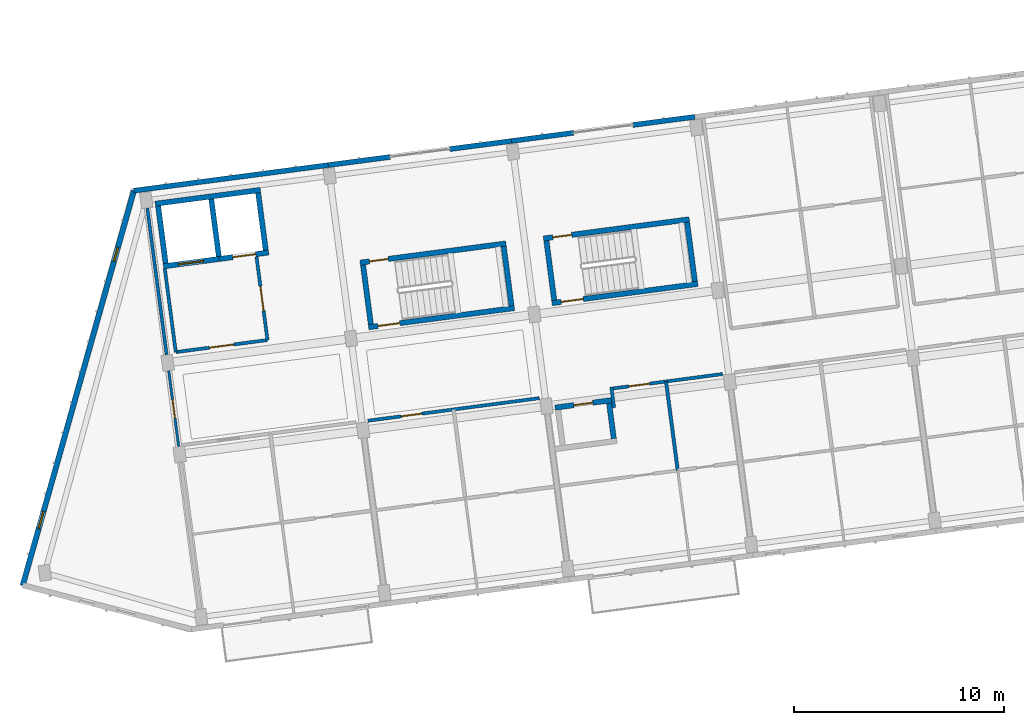
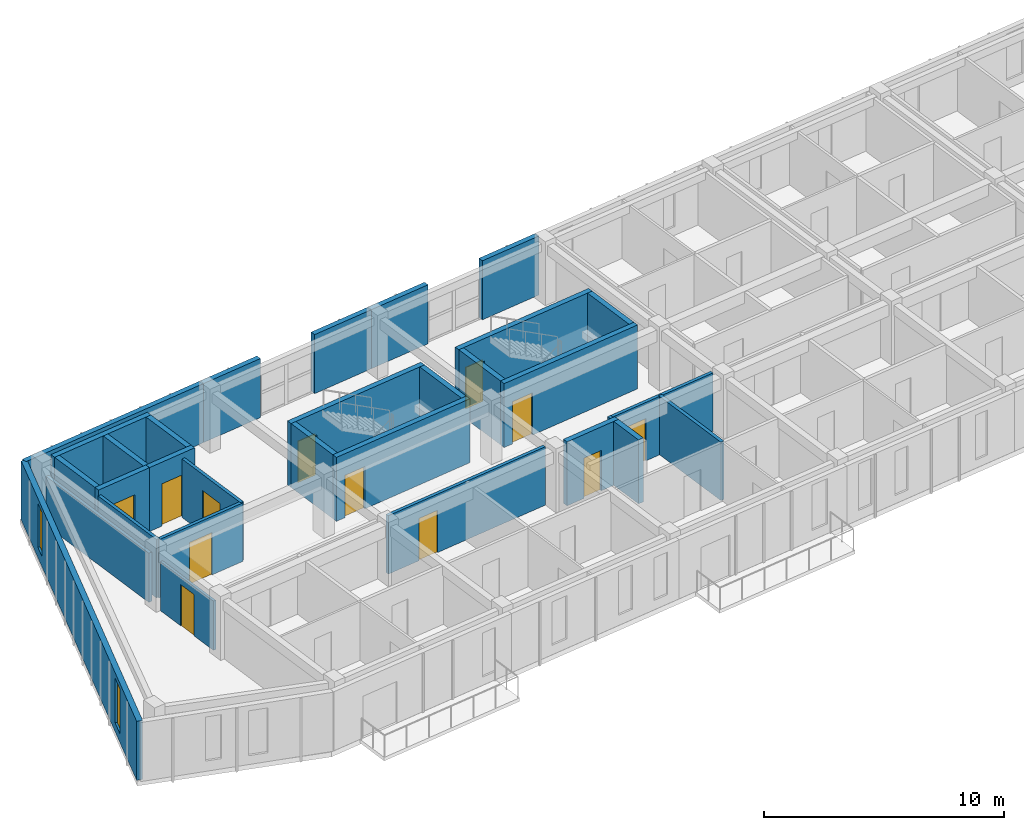
# One storey, part 21 of 65: 31 walls, 12 doors, 2 windows, 14 openings.
"""IFC4 building model written with IfcOpenShell, lengths in metres."""

from ifc_helpers import new_model, si_unit, direction, frame, frame_2d, origin, place, context, subcontext, project, spatial, rectangle, extrude, material, layer, layer_set, type_object, element, fill, save


model = new_model("IFC4")

# Units and contexts
model_context = context("Model", 3, precision=1e-05, world=origin(), true_north=direction((0.0, 1.0)))
body_context = subcontext(model_context, "Body", "Model", "MODEL_VIEW")
ifc_project = project(units=[si_unit("LENGTHUNIT", "METRE"), si_unit("AREAUNIT", "SQUARE_METRE"), si_unit("VOLUMEUNIT", "CUBIC_METRE"), si_unit("PLANEANGLEUNIT", "RADIAN"), si_unit("MASSUNIT", "GRAM", prefix="KILO")], contexts=[model_context])

# Site, building, storey
site_placement = place(None, origin())
site = spatial("IfcSite", under=ifc_project, at=site_placement, CompositionType="ELEMENT")
building_placement = place(site_placement, origin())
building = spatial("IfcBuilding", under=site, at=building_placement, Name="Kestramere Prow Commons", CompositionType="ELEMENT")
storey_placement = place(building_placement, frame((0.0, 0.0, 21.39990234375)))
storey = spatial("IfcBuildingStorey", under=building, at=storey_placement, Name="L06", CompositionType="ELEMENT", Elevation=21.39990234375)

# Wall, openings, windows
ifc_material_1 = material(Name="Weathered Zinc-Titanium Standing-Seam Cladding")
ifc_layer_1 = layer(ifc_material_1, 0.260009765625)
ifc_layer_set_1 = layer_set([ifc_layer_1], Name="Weathered Zinc-Titanium Standing-Seam Cladding")
wall_type_1 = type_object("IfcWallType", Name="EW-PROW-260", PredefinedType="SOLIDWALL", material=ifc_layer_set_1)
wall_1_placement = place(storey_placement, frame((2.7109375, 73.5048828125, 0.0), z_axis=(0.0, 0.0, 1.0), x_axis=(0.271165263368, 0.962532804606, 0.0)))
wall_1 = element("IfcWall", 1, at=wall_1_placement, inside=storey, type_object=wall_type_1, Name="Block A L06 PRW-N Facet Wall", PredefinedType="SOLIDWALL", context=body_context, shape_type="SweptSolid", body=[
    extrude(rectangle(XDim=19.5068359375, YDim=0.260009765625, at=frame_2d((9.75341796875, 0.0))), origin(), (0.0, 0.0, 1.0), 3.0),
])
opening_1_placement = place(wall_1_placement, frame((2.81005859375, 0.0, 0.449951171875)))
opening_1 = element("IfcOpeningElement", 2, at=opening_1_placement, cuts=wall_1, Name="Opening WN-14", PredefinedType="OPENING", context=body_context, shape_type="SweptSolid", body=[
    extrude(rectangle(XDim=0.840087890625, YDim=2.280029296875, at=frame_2d((0.419921875, 1.14013671875))), frame((0.0, 0.14501953125, 0.0), z_axis=(0.0, -1.0, 0.0), x_axis=(1.0, 0.0, 0.0)), (0.0, 0.0, 1.0), 0.2900390625),
])
opening_2_placement = place(wall_1_placement, frame((16.016845703125, 0.0, 0.52001953125)))
opening_2 = element("IfcOpeningElement", 3, at=opening_2_placement, cuts=wall_1, Name="Opening WN-06", PredefinedType="OPENING", context=body_context, shape_type="SweptSolid", body=[
    extrude(rectangle(XDim=0.679931640625, YDim=2.239990234375, at=frame_2d((0.33984375, 1.1201171875))), frame((0.0, 0.14501953125, 0.0), z_axis=(0.0, -1.0, 0.0), x_axis=(1.0, 0.0, 0.0)), (0.0, 0.0, 1.0), 0.2900390625),
])
ifc_material_2 = material(Name="Low-E Laminated Double Glazing", Category="glass")
window_type_1 = type_object("IfcWindowType", Name="WN-NAR-680A", PartitioningType="SINGLE_PANEL", PredefinedType="WINDOW", material=ifc_material_2)
window_1_placement = place(opening_2_placement, origin())
window_1 = element("IfcWindow", 4, at=window_1_placement, inside=storey, type_object=window_type_1, Name="WN-A-L06-PRW-N-1", OverallHeight=2.239990234375, OverallWidth=0.679931640625, PartitioningType="SINGLE_PANEL", PredefinedType="WINDOW", context=body_context, shape_type="SweptSolid", body=[
    extrude(rectangle(XDim=0.679931640625, YDim=2.239990234375, at=frame_2d((0.33984375, 1.1201171875))), frame((0.0, 0.030029296875, 0.0), z_axis=(0.0, -1.0, 0.0), x_axis=(1.0, 0.0, 0.0)), (0.0, 0.0, 1.0), 0.06005859375),
])
fill(opening_2, window_1)
window_type_2 = type_object("IfcWindowType", Name="WN-NAR-840A", PartitioningType="DOUBLE_PANEL_VERTICAL", PredefinedType="WINDOW", material=ifc_material_2)
window_2_placement = place(opening_1_placement, origin())
window_2 = element("IfcWindow", 5, at=window_2_placement, inside=storey, type_object=window_type_2, Name="WN-A-L06-PRW-N-0", OverallHeight=2.280029296875, OverallWidth=0.840087890625, PartitioningType="SINGLE_PANEL", PredefinedType="WINDOW", context=body_context, shape_type="SweptSolid", body=[
    extrude(rectangle(XDim=0.840087890625, YDim=2.280029296875, at=frame_2d((0.419921875, 1.14013671875))), frame((0.0, 0.030029296875, 0.0), z_axis=(0.0, -1.0, 0.0), x_axis=(1.0, 0.0, 0.0)), (0.0, 0.0, 1.0), 0.06005859375),
])
fill(opening_1, window_2)

# Walls
ifc_material_3 = material(Name="Fluoropolymer Standing-Seam Zinc-Aluminium Cladding", Category="aluminium")
ifc_layer_2 = layer(ifc_material_3, 0.239990234375)
ifc_layer_set_2 = layer_set([ifc_layer_2], Name="Fluoropolymer Standing-Seam Zinc-Aluminium Cladding")
wall_type_2 = type_object("IfcWallType", Name="EW-SEAM-240", PredefinedType="SOLIDWALL", material=ifc_layer_set_2)
wall_2_placement = place(storey_placement, frame((8.00048828125, 92.28076171875, 0.0), z_axis=(0.0, 0.0, 1.0), x_axis=(0.991442885224, 0.130541201693, 0.0)))
element("IfcWall", 6, at=wall_2_placement, inside=storey, type_object=wall_type_2, Name="Block A L06 North Standing-Seam Wall 1", PredefinedType="SOLIDWALL", context=body_context, shape_type="SweptSolid", body=[
    extrude(rectangle(XDim=9.324951171875, YDim=0.239990234375, at=frame_2d((4.66259765625, 0.0))), origin(), (0.0, 0.0, 1.0), 3.0),
])
for number, where, z_axis, x_axis, name in (
    (7, (17.24560546875, 93.498046875, 0.0), (0.0, 0.0, 1.0), (0.991451502252, 0.130475739826, 0.0), "Block A L06 North Standing-Seam Pier 2L"),
    (8, (23.020751953125, 94.25830078125, 0.0), (0.0, 0.0, 1.0), (0.991440883744, 0.130556401758, 0.0), "Block A L06 North Standing-Seam Pier 2R"),
):
    element("IfcWall", number, at=place(storey_placement, frame(where, z_axis=z_axis, x_axis=x_axis)), inside=storey, type_object=wall_type_2, Name=name, PredefinedType="SOLIDWALL", context=body_context, shape_type="SweptSolid", body=[
        extrude(rectangle(XDim=2.97509765625, YDim=0.239990234375, at=frame_2d((1.487548828125, 0.0))), origin(), (0.0, 0.0, 1.0), 3.0),
    ])
for number, where, z_axis, x_axis, name in (
    (9, (25.970458984375, 94.646728515625, 0.0), (0.0, 0.0, 1.0), (0.991450105095, 0.130486356022, 0.0), "Block A L06 North Standing-Seam Pier 3L"),
    (10, (31.74560546875, 95.406982421875, 0.0), (0.0, 0.0, 1.0), (0.991439484875, 0.130567024289, 0.0), "Block A L06 North Standing-Seam Pier 3R"),
):
    element("IfcWall", number, at=place(storey_placement, frame(where, z_axis=z_axis, x_axis=x_axis)), inside=storey, type_object=wall_type_2, Name=name, PredefinedType="SOLIDWALL", context=body_context, shape_type="SweptSolid", body=[
        extrude(rectangle(XDim=2.974853515625, YDim=0.239990234375, at=frame_2d((1.4873046875, 0.0))), origin(), (0.0, 0.0, 1.0), 3.0),
    ])
ifc_material_4 = material(Name="Concrete C40/50", Category="concrete")
ifc_layer_3 = layer(ifc_material_4, 0.25)
ifc_layer_set_3 = layer_set([ifc_layer_3], Name="Concrete C40/50")
wall_type_3 = type_object("IfcWallType", Name="W-CORE-250", PredefinedType="SHEAR", material=ifc_layer_set_3)
wall_3_placement = place(storey_placement, frame((9.015380859375, 91.657958984375, 0.0), z_axis=(0.0, 0.0, 1.0), x_axis=(0.991444419808, 0.130529546201, 0.0)))
element("IfcWall", 11, at=wall_3_placement, inside=storey, type_object=wall_type_3, Name="Block A L06 Lift Core Back Wall", PredefinedType="SHEAR", context=body_context, shape_type="SweptSolid", body=[
    extrude(rectangle(XDim=5.050048828125, YDim=0.25, at=frame_2d((2.52490234375, 0.0))), origin(), (0.0, 0.0, 1.0), 3.25),
])

# Wall, opening, door
wall_4_placement = place(storey_placement, frame((9.406982421875, 88.68359375, 0.0), z_axis=(0.0, 0.0, 1.0), x_axis=(0.991434713833, 0.130603247307, 0.0)))
wall_4 = element("IfcWall", 12, at=wall_4_placement, inside=storey, type_object=wall_type_3, Name="Block A L06 Fire Lift Shaft Front Wall", PredefinedType="SHEAR", context=body_context, shape_type="SweptSolid", body=[
    extrude(rectangle(XDim=2.675048828125, YDim=0.25, at=frame_2d((1.33740234375, 0.0))), origin(), (0.0, 0.0, 1.0), 3.25),
])
opening_3_placement = place(wall_4_placement, frame((0.719970703125, 0.0, 0.0)))
opening_3 = element("IfcOpeningElement", 13, at=opening_3_placement, cuts=wall_4, Name="Opening LD-02", PredefinedType="OPENING", context=body_context, shape_type="SweptSolid", body=[
    extrude(rectangle(XDim=1.199951171875, YDim=2.199951171875, at=frame_2d((0.60009765625, 1.10009765625))), frame((0.0, 0.139892578125, 0.0), z_axis=(0.0, -1.0, 0.0), x_axis=(1.0, 0.0, 0.0)), (0.0, 0.0, 1.0), 0.280029296875),
])
ifc_material_5 = material(Name="Brushed Stainless Steel 316", Category="steel")
door_type_1 = type_object("IfcDoorType", Name="LD-02", OperationType="DOUBLE_DOOR_SLIDING", PredefinedType="DOOR", material=ifc_material_5)
door_1_placement = place(opening_3_placement, origin())
door_1 = element("IfcDoor", 14, at=door_1_placement, inside=storey, type_object=door_type_1, Name="FL-A1 L06 Lift Landing Door", OperationType="DOUBLE_DOOR_SLIDING", OverallHeight=2.199951171875, OverallWidth=1.199951171875, PredefinedType="DOOR", context=body_context, shape_type="SweptSolid", body=[
    extrude(rectangle(XDim=1.199951171875, YDim=2.199951171875, at=frame_2d((0.60009765625, 1.10009765625))), frame((0.0, 0.02490234375, 0.0), z_axis=(0.0, -1.0, 0.0), x_axis=(1.0, 0.0, 0.0)), (0.0, 0.0, 1.0), 0.050048828125),
])
fill(opening_3, door_1)

wall_5_placement = place(storey_placement, frame((12.05908203125, 89.032958984375, 0.0), z_axis=(0.0, 0.0, 1.0), x_axis=(0.99145534515, 0.130446535303, 0.0)))
wall_5 = element("IfcWall", 15, at=wall_5_placement, inside=storey, type_object=wall_type_3, Name="Block A L06 Passenger Lift Shaft Front Wall", PredefinedType="SHEAR", context=body_context, shape_type="SweptSolid", body=[
    extrude(rectangle(XDim=2.375, YDim=0.25, at=frame_2d((1.1875, 0.0))), origin(), (0.0, 0.0, 1.0), 3.25),
])
opening_4_placement = place(wall_5_placement, frame((0.64990234375, 0.0, 0.0)))
opening_4 = element("IfcOpeningElement", 16, at=opening_4_placement, cuts=wall_5, Name="Opening LD-01", PredefinedType="OPENING", context=body_context, shape_type="SweptSolid", body=[
    extrude(rectangle(XDim=1.10009765625, YDim=2.14990234375, at=frame_2d((0.550048828125, 1.074951171875))), frame((0.0, 0.139892578125, 0.0), z_axis=(0.0, -1.0, 0.0), x_axis=(1.0, 0.0, 0.0)), (0.0, 0.0, 1.0), 0.280029296875),
])
ifc_material_6 = material(Name="Brushed Stainless Steel 304", Category="steel")
door_type_2 = type_object("IfcDoorType", Name="LD-01", OperationType="DOUBLE_DOOR_SLIDING", PredefinedType="DOOR", material=ifc_material_6)
door_2_placement = place(opening_4_placement, origin())
door_2 = element("IfcDoor", 17, at=door_2_placement, inside=storey, type_object=door_type_2, Name="PL-A2 L06 Lift Landing Door", OperationType="DOUBLE_DOOR_SLIDING", OverallHeight=2.14990234375, OverallWidth=1.10009765625, PredefinedType="DOOR", context=body_context, shape_type="SweptSolid", body=[
    extrude(rectangle(XDim=1.10009765625, YDim=2.14990234375, at=frame_2d((0.550048828125, 1.074951171875))), frame((0.0, 0.02490234375, 0.0), z_axis=(0.0, -1.0, 0.0), x_axis=(1.0, 0.0, 0.0)), (0.0, 0.0, 1.0), 0.050048828125),
])
fill(opening_4, door_2)

# Walls
for number, where, z_axis, x_axis, name in (
    (18, (9.5146484375, 88.823974609375, 0.0), (0.0, 0.0, 1.0), (-0.130500441374, 0.991448251197, 0.0), "Block A L06 Lift Core Side Wall L"),
    (19, (12.042724609375, 89.15673828125, 0.0), (0.0, 0.0, 1.0), (-0.130500441374, 0.991448251197, 0.0), "Block A L06 Lift Core Side Wall M"),
    (20, (14.2734375, 89.450439453125, 0.0), (0.0, 0.0, 1.0), (-0.130500441374, 0.991448251197, 0.0), "Block A L06 Lift Core Side Wall R"),
):
    element("IfcWall", number, at=place(storey_placement, frame(where, z_axis=z_axis, x_axis=x_axis)), inside=storey, type_object=wall_type_3, Name=name, PredefinedType="SHEAR", context=body_context, shape_type="SweptSolid", body=[
        extrude(rectangle(XDim=2.75, YDim=0.25, at=frame_2d((1.375, 0.0))), origin(), (0.0, 0.0, 1.0), 3.25),
    ])

# Wall, opening, door
wall_6_placement = place(storey_placement, frame((18.764404296875, 88.856689453125, 0.0), z_axis=(0.0, 0.0, 1.0), x_axis=(0.991447052715, 0.13050954625, 0.0)))
wall_6 = element("IfcWall", 21, at=wall_6_placement, inside=storey, type_object=wall_type_3, Name="ST-A1 L06 North Shaft Wall", PredefinedType="SHEAR", context=body_context, shape_type="SweptSolid", body=[
    extrude(rectangle(XDim=7.0, YDim=0.25, at=frame_2d((3.5, 0.0))), origin(), (0.0, 0.0, 1.0), 3.25),
])
opening_5_placement = place(wall_6_placement, frame((0.449951171875, 0.0, 0.0)))
opening_5 = element("IfcOpeningElement", 22, at=opening_5_placement, cuts=wall_6, Name="Opening ID-08", PredefinedType="OPENING", context=body_context, shape_type="SweptSolid", body=[
    extrude(rectangle(XDim=0.89990234375, YDim=2.10009765625, at=frame_2d((0.449951171875, 1.050048828125))), frame((0.0, 0.139892578125, 0.0), z_axis=(0.0, -1.0, 0.0), x_axis=(1.0, 0.0, 0.0)), (0.0, 0.0, 1.0), 0.280029296875),
])
ifc_material_7 = material(Name="Engineered Timber Flush Door", Category="wood")
door_type_3 = type_object("IfcDoorType", Name="D-RM-01", OperationType="NOTDEFINED", PredefinedType="DOOR", material=ifc_material_7)
door_3_placement = place(opening_5_placement, origin())
door_3 = element("IfcDoor", 23, at=door_3_placement, inside=storey, type_object=door_type_3, Name="ST-A1 L06 North Room Door", OperationType="SINGLE_SWING_RIGHT", OverallHeight=2.10009765625, OverallWidth=0.89990234375, PredefinedType="DOOR", context=body_context, shape_type="SweptSolid", body=[
    extrude(rectangle(XDim=0.89990234375, YDim=2.10009765625, at=frame_2d((0.449951171875, 1.050048828125))), frame((0.0, 0.02490234375, 0.0), z_axis=(0.0, -1.0, 0.0), x_axis=(1.0, 0.0, 0.0)), (0.0, 0.0, 1.0), 0.050048828125),
])
fill(opening_5, door_3)

wall_7_placement = place(storey_placement, frame((19.169189453125, 85.783203125, 0.0), z_axis=(0.0, 0.0, 1.0), x_axis=(0.991446458634, 0.130514059249, 0.0)))
wall_7 = element("IfcWall", 24, at=wall_7_placement, inside=storey, type_object=wall_type_3, Name="ST-A1 L06 Corridor Shaft Wall", PredefinedType="SHEAR", context=body_context, shape_type="SweptSolid", body=[
    extrude(rectangle(XDim=6.999755859375, YDim=0.25, at=frame_2d((3.5, 0.0))), origin(), (0.0, 0.0, 1.0), 3.25),
])
opening_6_placement = place(wall_7_placement, frame((0.449951171875, 0.0, 0.0)))
opening_6 = element("IfcOpeningElement", 25, at=opening_6_placement, cuts=wall_7, Name="Opening ID-01", PredefinedType="OPENING", context=body_context, shape_type="SweptSolid", body=[
    extrude(rectangle(XDim=1.050048828125, YDim=2.14990234375, at=frame_2d((0.52490234375, 1.074951171875))), frame((0.0, 0.139892578125, 0.0), z_axis=(0.0, -1.0, 0.0), x_axis=(1.0, 0.0, 0.0)), (0.0, 0.0, 1.0), 0.280029296875),
])
ifc_material_8 = material(Name="Fire-Rated Timber and Steel Frame", Category="steel")
door_type_4 = type_object("IfcDoorType", Name="FD-ST-01", OperationType="NOTDEFINED", PredefinedType="DOOR", material=ifc_material_8)
door_4_placement = place(opening_6_placement, origin())
door_4 = element("IfcDoor", 26, at=door_4_placement, inside=storey, type_object=door_type_4, Name="ST-A1 L06 Protected Stair Door", OperationType="SINGLE_SWING_LEFT", OverallHeight=2.14990234375, OverallWidth=1.050048828125, PredefinedType="DOOR", context=body_context, shape_type="SweptSolid", body=[
    extrude(rectangle(XDim=1.050048828125, YDim=2.14990234375, at=frame_2d((0.52490234375, 1.074951171875))), frame((0.0, 0.02490234375, 0.0), z_axis=(0.0, -1.0, 0.0), x_axis=(1.0, 0.0, 0.0)), (0.0, 0.0, 1.0), 0.050048828125),
])
fill(opening_6, door_4)

# Walls
for number, where, z_axis, x_axis, name in (
    (27, (19.27685546875, 85.92333984375, 0.0), (0.0, 0.0, 1.0), (-0.130547578832, 0.991442045538, 0.0), "ST-A1 L06 Near Shaft Wall"),
    (28, (25.968994140625, 86.804443359375, 0.0), (0.0, 0.0, 1.0), (-0.130547578832, 0.991442045538, 0.0), "ST-A1 L06 Far Shaft Wall"),
):
    element("IfcWall", number, at=place(storey_placement, frame(where, z_axis=z_axis, x_axis=x_axis)), inside=storey, type_object=wall_type_3, Name=name, PredefinedType="SHEAR", context=body_context, shape_type="SweptSolid", body=[
        extrude(rectangle(XDim=2.85009765625, YDim=0.25, at=frame_2d((1.425048828125, 0.0))), origin(), (0.0, 0.0, 1.0), 3.25),
    ])

# Wall, opening, door
wall_8_placement = place(storey_placement, frame((27.4892578125, 90.005126953125, 0.0), z_axis=(0.0, 0.0, 1.0), x_axis=(0.991441944909, 0.130548343059, 0.0)))
wall_8 = element("IfcWall", 29, at=wall_8_placement, inside=storey, type_object=wall_type_3, Name="ST-A2 L06 North Shaft Wall", PredefinedType="SHEAR", context=body_context, shape_type="SweptSolid", body=[
    extrude(rectangle(XDim=6.999755859375, YDim=0.25, at=frame_2d((3.5, 0.0))), origin(), (0.0, 0.0, 1.0), 3.25),
])
opening_7_placement = place(wall_8_placement, frame((0.449951171875, 0.0, 0.0)))
opening_7 = element("IfcOpeningElement", 30, at=opening_7_placement, cuts=wall_8, Name="Opening ID-08", PredefinedType="OPENING", context=body_context, shape_type="SweptSolid", body=[
    extrude(rectangle(XDim=0.89990234375, YDim=2.10009765625, at=frame_2d((0.449951171875, 1.050048828125))), frame((0.0, 0.139892578125, 0.0), z_axis=(0.0, -1.0, 0.0), x_axis=(1.0, 0.0, 0.0)), (0.0, 0.0, 1.0), 0.280029296875),
])
door_5_placement = place(opening_7_placement, origin())
door_5 = element("IfcDoor", 31, at=door_5_placement, inside=storey, type_object=door_type_3, Name="ST-A2 L06 North Room Door", OperationType="SINGLE_SWING_RIGHT", OverallHeight=2.10009765625, OverallWidth=0.89990234375, PredefinedType="DOOR", context=body_context, shape_type="SweptSolid", body=[
    extrude(rectangle(XDim=0.89990234375, YDim=2.10009765625, at=frame_2d((0.449951171875, 1.050048828125))), frame((0.0, 0.02490234375, 0.0), z_axis=(0.0, -1.0, 0.0), x_axis=(1.0, 0.0, 0.0)), (0.0, 0.0, 1.0), 0.050048828125),
])
fill(opening_7, door_5)

wall_9_placement = place(storey_placement, frame((27.893798828125, 86.931640625, 0.0), z_axis=(0.0, 0.0, 1.0), x_axis=(0.991442539299, 0.130543828916, 0.0)))
wall_9 = element("IfcWall", 32, at=wall_9_placement, inside=storey, type_object=wall_type_3, Name="ST-A2 L06 Corridor Shaft Wall", PredefinedType="SHEAR", context=body_context, shape_type="SweptSolid", body=[
    extrude(rectangle(XDim=7.0, YDim=0.25, at=frame_2d((3.5, 0.0))), origin(), (0.0, 0.0, 1.0), 3.25),
])
opening_8_placement = place(wall_9_placement, frame((0.449951171875, 0.0, 0.0)))
opening_8 = element("IfcOpeningElement", 33, at=opening_8_placement, cuts=wall_9, Name="Opening ID-01", PredefinedType="OPENING", context=body_context, shape_type="SweptSolid", body=[
    extrude(rectangle(XDim=1.050048828125, YDim=2.14990234375, at=frame_2d((0.52490234375, 1.074951171875))), frame((0.0, 0.139892578125, 0.0), z_axis=(0.0, -1.0, 0.0), x_axis=(1.0, 0.0, 0.0)), (0.0, 0.0, 1.0), 0.280029296875),
])
door_6_placement = place(opening_8_placement, origin())
door_6 = element("IfcDoor", 34, at=door_6_placement, inside=storey, type_object=door_type_4, Name="ST-A2 L06 Protected Stair Door", OperationType="SINGLE_SWING_LEFT", OverallHeight=2.14990234375, OverallWidth=1.050048828125, PredefinedType="DOOR", context=body_context, shape_type="SweptSolid", body=[
    extrude(rectangle(XDim=1.050048828125, YDim=2.14990234375, at=frame_2d((0.52490234375, 1.074951171875))), frame((0.0, 0.02490234375, 0.0), z_axis=(0.0, -1.0, 0.0), x_axis=(1.0, 0.0, 0.0)), (0.0, 0.0, 1.0), 0.050048828125),
])
fill(opening_8, door_6)

# Walls
wall_10_placement = place(storey_placement, frame((28.00146484375, 87.072021484375, 0.0), z_axis=(0.0, 0.0, 1.0), x_axis=(-0.130547578832, 0.991442045538, 0.0)))
element("IfcWall", 35, at=wall_10_placement, inside=storey, type_object=wall_type_3, Name="ST-A2 L06 Near Shaft Wall", PredefinedType="SHEAR", context=body_context, shape_type="SweptSolid", body=[
    extrude(rectangle(XDim=2.85009765625, YDim=0.25, at=frame_2d((1.425048828125, 0.0))), origin(), (0.0, 0.0, 1.0), 3.25),
])
wall_11_placement = place(storey_placement, frame((34.693603515625, 87.953125, 0.0), z_axis=(0.0, 0.0, 1.0), x_axis=(-0.130474457355, 0.991451671025, 0.0)))
element("IfcWall", 36, at=wall_11_placement, inside=storey, type_object=wall_type_3, Name="ST-A2 L06 Far Shaft Wall", PredefinedType="SHEAR", context=body_context, shape_type="SweptSolid", body=[
    extrude(rectangle(XDim=2.849853515625, YDim=0.25, at=frame_2d((1.4248046875, 0.0))), origin(), (0.0, 0.0, 1.0), 3.25),
])

# Wall, opening, door
ifc_material_9 = material(Name="Fire-Rated Calcium Silicate Wall")
ifc_layer_4 = layer(ifc_material_9, 0.155029296875)
ifc_layer_set_4 = layer_set([ifc_layer_4], Name="Fire-Rated Calcium Silicate Wall")
wall_type_4 = type_object("IfcWallType", Name="W-FIRE-150", PredefinedType="PARTITIONING", material=ifc_layer_set_4)
wall_12_placement = place(storey_placement, frame((9.994873046875, 84.6005859375, 0.0), z_axis=(0.0, 0.0, 1.0), x_axis=(0.991448440179, 0.130499005613, 0.0)))
wall_12 = element("IfcWall", 37, at=wall_12_placement, inside=storey, type_object=wall_type_4, Name="Interior Partition PW-A-L06-FFL-S", PredefinedType="PARTITIONING", context=body_context, shape_type="SweptSolid", body=[
    extrude(rectangle(XDim=4.400146484375, YDim=0.155029296875, at=frame_2d((2.2001953125, 0.0))), origin(), (0.0, 0.0, 1.0), 2.97021484375),
])
opening_9_placement = place(wall_12_placement, frame((1.60009765625, 0.0, 0.0)))
opening_9 = element("IfcOpeningElement", 38, at=opening_9_placement, cuts=wall_12, Name="Opening ID-03", PredefinedType="OPENING", context=body_context, shape_type="SweptSolid", body=[
    extrude(rectangle(XDim=1.179931640625, YDim=2.14990234375, at=frame_2d((0.58984375, 1.074951171875))), frame((0.0, 0.092529296875, 0.0), z_axis=(0.0, -1.0, 0.0), x_axis=(1.0, 0.0, 0.0)), (0.0, 0.0, 1.0), 0.18505859375),
])
ifc_material_10 = material(Name="Fire-Rated Glazed Smoke-Stop Door")
door_type_5 = type_object("IfcDoorType", Name="FD-LB-01", OperationType="NOTDEFINED", PredefinedType="DOOR", material=ifc_material_10)
door_7_placement = place(opening_9_placement, origin())
door_7 = element("IfcDoor", 39, at=door_7_placement, inside=storey, type_object=door_type_5, Name="Interior Door DR-A-L06-FFL", OperationType="SINGLE_SWING_LEFT", OverallHeight=2.14990234375, OverallWidth=1.179931640625, PredefinedType="DOOR", context=body_context, shape_type="SweptSolid", body=[
    extrude(rectangle(XDim=1.179931640625, YDim=2.14990234375, at=frame_2d((0.58984375, 1.074951171875))), frame((0.0, 0.02490234375, 0.0), z_axis=(0.0, -1.0, 0.0), x_axis=(1.0, 0.0, 0.0)), (0.0, 0.0, 1.0), 0.050048828125),
])
fill(opening_9, door_7)

# Wall
wall_13_placement = place(storey_placement, frame((9.994873046875, 84.6005859375, 0.0), z_axis=(0.0, 0.0, 1.0), x_axis=(-0.130492404742, 0.991449308994, 0.0)))
element("IfcWall", 40, at=wall_13_placement, inside=storey, type_object=wall_type_4, Name="Interior Partition PW-A-L06-FFL-W", PredefinedType="PARTITIONING", context=body_context, shape_type="SweptSolid", body=[
    extrude(rectangle(XDim=4.0, YDim=0.155029296875, at=frame_2d((2.0, 0.0))), origin(), (0.0, 0.0, 1.0), 2.97021484375),
])

# Wall, opening, door
wall_14_placement = place(storey_placement, frame((14.357421875, 85.1748046875, 0.0), z_axis=(0.0, 0.0, 1.0), x_axis=(-0.130552399509, 0.991441410766, 0.0)))
wall_14 = element("IfcWall", 41, at=wall_14_placement, inside=storey, type_object=wall_type_4, Name="Interior Partition PW-A-L06-FFL-E", PredefinedType="PARTITIONING", context=body_context, shape_type="SweptSolid", body=[
    extrude(rectangle(XDim=4.0, YDim=0.155029296875, at=frame_2d((2.0, 0.0))), origin(), (0.0, 0.0, 1.0), 2.97021484375),
])
opening_10_placement = place(wall_14_placement, frame((1.39990234375, 0.0, 0.0)))
opening_10 = element("IfcOpeningElement", 42, at=opening_10_placement, cuts=wall_14, Name="Opening ID-03", PredefinedType="OPENING", context=body_context, shape_type="SweptSolid", body=[
    extrude(rectangle(XDim=1.179931640625, YDim=2.14990234375, at=frame_2d((0.58984375, 1.074951171875))), frame((0.0, 0.092529296875, 0.0), z_axis=(0.0, -1.0, 0.0), x_axis=(1.0, 0.0, 0.0)), (0.0, 0.0, 1.0), 0.18505859375),
])
door_8_placement = place(opening_10_placement, origin())
door_8 = element("IfcDoor", 43, at=door_8_placement, inside=storey, type_object=door_type_5, Name="Interior Door DR-A-L06-FFL-PL", OperationType="SINGLE_SWING_LEFT", OverallHeight=2.14990234375, OverallWidth=1.179931640625, PredefinedType="DOOR", context=body_context, shape_type="SweptSolid", body=[
    extrude(rectangle(XDim=1.179931640625, YDim=2.14990234375, at=frame_2d((0.58984375, 1.074951171875))), frame((0.0, 0.02490234375, 0.0), z_axis=(0.0, -1.0, 0.0), x_axis=(1.0, 0.0, 0.0)), (0.0, 0.0, 1.0), 0.050048828125),
])
fill(opening_10, door_8)

wall_15_placement = place(storey_placement, frame((19.13427734375, 81.33544921875, 0.0), z_axis=(0.0, 0.0, 1.0), x_axis=(0.991445206002, 0.130523574484, 0.0)))
wall_15 = element("IfcWall", 44, at=wall_15_placement, inside=storey, type_object=wall_type_4, Name="Interior Partition PW-A-L06-CS-1", PredefinedType="PARTITIONING", context=body_context, shape_type="SweptSolid", body=[
    extrude(rectangle(XDim=8.22998046875, YDim=0.155029296875, at=frame_2d((4.114990234375, 0.0))), origin(), (0.0, 0.0, 1.0), 2.97021484375),
])
opening_11_placement = place(wall_15_placement, frame((1.60498046875, 0.0, 0.0)))
opening_11 = element("IfcOpeningElement", 45, at=opening_11_placement, cuts=wall_15, Name="Opening ID-04", PredefinedType="OPENING", context=body_context, shape_type="SweptSolid", body=[
    extrude(rectangle(XDim=0.97998046875, YDim=2.14990234375, at=frame_2d((0.489990234375, 1.074951171875))), frame((0.0, 0.092529296875, 0.0), z_axis=(0.0, -1.0, 0.0), x_axis=(1.0, 0.0, 0.0)), (0.0, 0.0, 1.0), 0.18505859375),
])
ifc_material_11 = material(Name="Hardwood Fire-Rated Flat Entrance Door", Category="wood")
door_type_6 = type_object("IfcDoorType", Name="FD-ENT-01", OperationType="NOTDEFINED", PredefinedType="DOOR", material=ifc_material_11)
door_9_placement = place(opening_11_placement, origin())
door_9 = element("IfcDoor", 46, at=door_9_placement, inside=storey, type_object=door_type_6, Name="Interior Door DR-A-L06-ENT-S1", OperationType="SINGLE_SWING_RIGHT", OverallHeight=2.14990234375, OverallWidth=0.97998046875, PredefinedType="DOOR", context=body_context, shape_type="SweptSolid", body=[
    extrude(rectangle(XDim=0.97998046875, YDim=2.14990234375, at=frame_2d((0.489990234375, 1.074951171875))), frame((0.0, 0.02490234375, 0.0), z_axis=(0.0, -1.0, 0.0), x_axis=(1.0, 0.0, 0.0)), (0.0, 0.0, 1.0), 0.050048828125),
])
fill(opening_11, door_9)

# Wall
wall_16_placement = place(storey_placement, frame((30.849365234375, 81.949951171875, 0.0), z_axis=(0.0, 0.0, 1.0), x_axis=(-0.13055608231, 0.99144092581, 0.0)))
element("IfcWall", 47, at=wall_16_placement, inside=storey, type_object=wall_type_4, Name="Interior Partition PW-A-L06-HS-CLOSER", PredefinedType="PARTITIONING", context=body_context, shape_type="SweptSolid", body=[
    extrude(rectangle(XDim=0.994873046875, YDim=0.155029296875, at=frame_2d((0.49755859375, 0.0))), origin(), (0.0, 0.0, 1.0), 2.97021484375),
])

# Wall, opening, door
wall_17_placement = place(storey_placement, frame((30.80859375, 82.87255859375, 0.0), z_axis=(0.0, 0.0, 1.0), x_axis=(0.991447652655, 0.130504988581, 0.0)))
wall_17 = element("IfcWall", 48, at=wall_17_placement, inside=storey, type_object=wall_type_4, Name="Interior Partition PW-A-L06-CS-2", PredefinedType="PARTITIONING", context=body_context, shape_type="SweptSolid", body=[
    extrude(rectangle(XDim=5.2548828125, YDim=0.155029296875, at=frame_2d((2.62744140625, 0.0))), origin(), (0.0, 0.0, 1.0), 2.97021484375),
])
opening_12_placement = place(wall_17_placement, frame((0.758056640625, 0.0, 0.0)))
opening_12 = element("IfcOpeningElement", 49, at=opening_12_placement, cuts=wall_17, Name="Opening ID-04", PredefinedType="OPENING", context=body_context, shape_type="SweptSolid", body=[
    extrude(rectangle(XDim=0.97998046875, YDim=2.14990234375, at=frame_2d((0.489990234375, 1.074951171875))), frame((0.0, 0.092529296875, 0.0), z_axis=(0.0, -1.0, 0.0), x_axis=(1.0, 0.0, 0.0)), (0.0, 0.0, 1.0), 0.18505859375),
])
door_10_placement = place(opening_12_placement, origin())
door_10 = element("IfcDoor", 50, at=door_10_placement, inside=storey, type_object=door_type_6, Name="Interior Door DR-A-L06-ENT-S2", OperationType="SINGLE_SWING_LEFT", OverallHeight=2.14990234375, OverallWidth=0.97998046875, PredefinedType="DOOR", context=body_context, shape_type="SweptSolid", body=[
    extrude(rectangle(XDim=0.97998046875, YDim=2.14990234375, at=frame_2d((0.489990234375, 1.074951171875))), frame((0.0, 0.02490234375, 0.0), z_axis=(0.0, -1.0, 0.0), x_axis=(1.0, 0.0, 0.0)), (0.0, 0.0, 1.0), 0.050048828125),
])
fill(opening_12, door_10)

ifc_layer_5 = layer(ifc_material_4, 0.25)
ifc_layer_set_5 = layer_set([ifc_layer_5], Name="Concrete C40/50")
wall_type_5 = type_object("IfcWallType", Name="W-HS-250", PredefinedType="SHEAR", material=ifc_layer_set_5)
wall_18_placement = place(storey_placement, frame((28.044189453125, 81.958740234375, 0.0), z_axis=(0.0, 0.0, 1.0), x_axis=(0.991439824936, 0.130564442062, 0.0)))
wall_18 = element("IfcWall", 51, at=wall_18_placement, inside=storey, type_object=wall_type_5, Name="Block A L06 Household Shelter North Wall", PredefinedType="SHEAR", context=body_context, shape_type="SweptSolid", body=[
    extrude(rectangle(XDim=2.7001953125, YDim=0.25, at=frame_2d((1.35009765625, 0.0))), origin(), (0.0, 0.0, 1.0), 3.25),
])
opening_13_placement = place(wall_18_placement, frame((0.89990234375, 0.0, 0.0)))
opening_13 = element("IfcOpeningElement", 52, at=opening_13_placement, cuts=wall_18, Name="Opening ID-06", PredefinedType="OPENING", context=body_context, shape_type="SweptSolid", body=[
    extrude(rectangle(XDim=0.89990234375, YDim=2.050048828125, at=frame_2d((0.449951171875, 1.02490234375))), frame((0.0, 0.139892578125, 0.0), z_axis=(0.0, -1.0, 0.0), x_axis=(1.0, 0.0, 0.0)), (0.0, 0.0, 1.0), 0.280029296875),
])
ifc_material_12 = material(Name="Galvanised Steel S275JR Household Shelter Door", Category="steel")
door_type_7 = type_object("IfcDoorType", Name="FD-HS-01", OperationType="NOTDEFINED", PredefinedType="DOOR", material=ifc_material_12)
door_11_placement = place(opening_13_placement, origin())
door_11 = element("IfcDoor", 53, at=door_11_placement, inside=storey, type_object=door_type_7, Name="Block A L06 Household Shelter Blast Door", OperationType="SINGLE_SWING_RIGHT", OverallHeight=2.050048828125, OverallWidth=0.89990234375, PredefinedType="DOOR", context=body_context, shape_type="SweptSolid", body=[
    extrude(rectangle(XDim=0.89990234375, YDim=2.050048828125, at=frame_2d((0.449951171875, 1.02490234375))), frame((0.0, 0.02490234375, 0.0), z_axis=(0.0, -1.0, 0.0), x_axis=(1.0, 0.0, 0.0)), (0.0, 0.0, 1.0), 0.050048828125),
])
fill(opening_13, door_11)

# Wall
wall_19_placement = place(storey_placement, frame((30.83544921875, 80.485595703125, 0.0), z_axis=(0.0, 0.0, 1.0), x_axis=(-0.1305548243, 0.991441091468, 0.0)))
element("IfcWall", 54, at=wall_19_placement, inside=storey, type_object=wall_type_5, Name="Block A L06 Household Shelter E Wall", PredefinedType="SHEAR", context=body_context, shape_type="SweptSolid", body=[
    extrude(rectangle(XDim=1.699951171875, YDim=0.25, at=frame_2d((0.85009765625, 0.0))), origin(), (0.0, 0.0, 1.0), 3.25),
])

# Wall, opening, door
ifc_material_13 = material(Name="Lightweight Blockwork and Plaster", Category="masonry")
ifc_layer_6 = layer(ifc_material_13, 0.1201171875)
ifc_layer_set_6 = layer_set([ifc_layer_6], Name="Lightweight Blockwork and Plaster")
wall_type_6 = type_object("IfcWallType", Name="W-PART-120", PredefinedType="PARTITIONING", material=ifc_layer_set_6)
wall_20_placement = place(storey_placement, frame((10.131591796875, 80.114990234375, 0.0), z_axis=(0.0, 0.0, 1.0), x_axis=(-0.130546722025, 0.991442158357, 0.0)))
wall_20 = element("IfcWall", 55, at=wall_20_placement, inside=storey, type_object=wall_type_6, Name="Interior Partition PW-A-L06-PROW-ACC", PredefinedType="PARTITIONING", context=body_context, shape_type="SweptSolid", body=[
    extrude(rectangle(XDim=3.6298828125, YDim=0.1201171875, at=frame_2d((1.81494140625, 0.0))), origin(), (0.0, 0.0, 1.0), 2.5),
])
opening_14_placement = place(wall_20_placement, frame((1.35009765625, 0.0, 0.0)))
opening_14 = element("IfcOpeningElement", 56, at=opening_14_placement, cuts=wall_20, Name="Opening ID-08", PredefinedType="OPENING", context=body_context, shape_type="SweptSolid", body=[
    extrude(rectangle(XDim=0.89990234375, YDim=2.10009765625, at=frame_2d((0.449951171875, 1.050048828125))), frame((0.0, 0.074951171875, 0.0), z_axis=(0.0, -1.0, 0.0), x_axis=(1.0, 0.0, 0.0)), (0.0, 0.0, 1.0), 0.150146484375),
])
door_12_placement = place(opening_14_placement, origin())
door_12 = element("IfcDoor", 57, at=door_12_placement, inside=storey, type_object=door_type_3, Name="Interior Door DR-A-L06-PROW", OperationType="SINGLE_SWING_LEFT", OverallHeight=2.10009765625, OverallWidth=0.89990234375, PredefinedType="DOOR", context=body_context, shape_type="SweptSolid", body=[
    extrude(rectangle(XDim=0.89990234375, YDim=2.10009765625, at=frame_2d((0.449951171875, 1.050048828125))), frame((0.0, 0.02490234375, 0.0), z_axis=(0.0, -1.0, 0.0), x_axis=(1.0, 0.0, 0.0)), (0.0, 0.0, 1.0), 0.050048828125),
])
fill(opening_14, door_12)

# Walls
ifc_material_14 = material(Name="Masonry Compartment Wall", Category="masonry")
ifc_layer_7 = layer(ifc_material_14, 0.14990234375)
ifc_layer_set_7 = layer_set([ifc_layer_7], Name="Masonry Compartment Wall")
wall_type_7 = type_object("IfcWallType", Name="W-PART-150", PredefinedType="PARTITIONING", material=ifc_layer_set_7)
wall_21_placement = place(storey_placement, frame((9.557373046875, 84.477294921875, 0.0), z_axis=(0.0, 0.0, 1.0), x_axis=(-0.130541650614, 0.991442826115, 0.0)))
element("IfcWall", 58, at=wall_21_placement, inside=storey, type_object=wall_type_7, Name="Interior Partition PW-A-L06-PRW-N", PredefinedType="PARTITIONING", context=body_context, shape_type="SweptSolid", body=[
    extrude(rectangle(XDim=7.030029296875, YDim=0.14990234375, at=frame_2d((3.51513671875, 0.0))), origin(), (0.0, 0.0, 1.0), 2.5),
])
ifc_material_15 = material(Name="Waterproof Sanitary Masonry Wall", Category="masonry")
ifc_layer_8 = layer(ifc_material_15, 0.1650390625)
ifc_layer_set_8 = layer_set([ifc_layer_8], Name="Waterproof Sanitary Masonry Wall")
wall_type_8 = type_object("IfcWallType", Name="W-PLUMB-150", PredefinedType="PLUMBINGWALL", material=ifc_layer_set_8)
wall_22_placement = place(storey_placement, frame((33.87939453125, 78.969970703125, 0.0), z_axis=(0.0, 0.0, 1.0), x_axis=(-0.13053438047, 0.991443783336, 0.0)))
element("IfcWall", 59, at=wall_22_placement, inside=storey, type_object=wall_type_8, Name="Interior Partition PW-A-L06-KB-S2", PredefinedType="PLUMBINGWALL", context=body_context, shape_type="SweptSolid", body=[
    extrude(rectangle(XDim=4.27001953125, YDim=0.1650390625, at=frame_2d((2.135009765625, 0.0))), origin(), (0.0, 0.0, 1.0), 2.97021484375),
])

save(model, "model.ifc")
